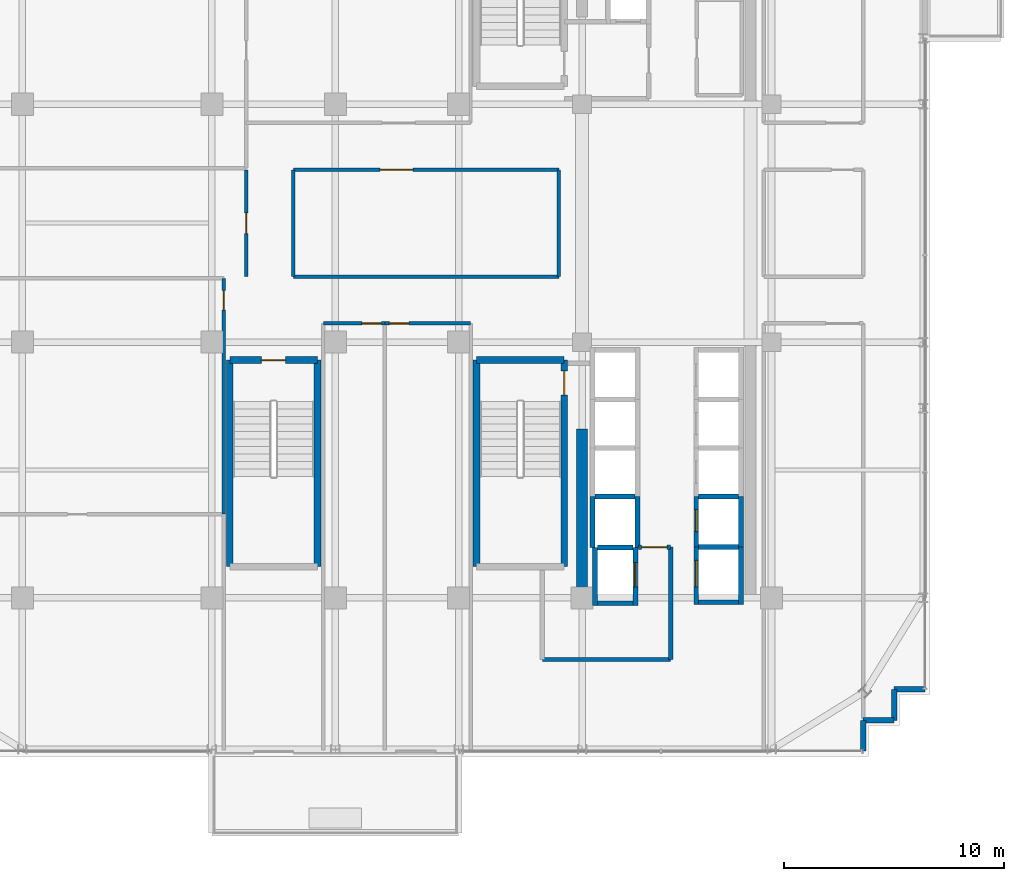
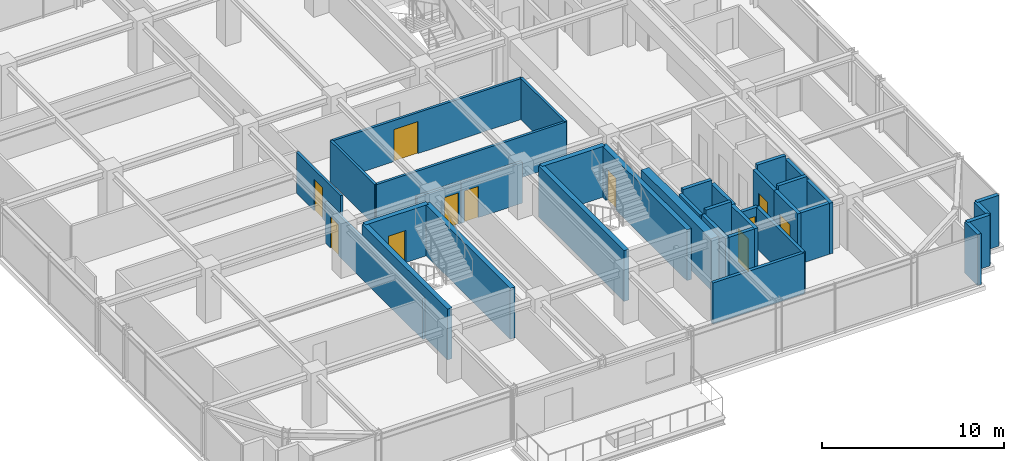
# One storey, part 30 of 36: 36 walls, 11 doors, 11 openings.
"""IFC4 building model written with IfcOpenShell, lengths in metres."""

from ifc_helpers import new_model, si_unit, direction, frame, frame_2d, origin, place, context, subcontext, project, spatial, rectangle, extrude, source, transform, mapped, material, layer, layer_set, type_object, element, fill, save


model = new_model("IFC4")

# Units and contexts
model_context = context("Model", 3, precision=1e-05, world=origin(), true_north=direction((0.0, 1.0)))
body_context = subcontext(model_context, "Body", "Model", "MODEL_VIEW")
ifc_project = project(units=[si_unit("LENGTHUNIT", "METRE"), si_unit("AREAUNIT", "SQUARE_METRE"), si_unit("VOLUMEUNIT", "CUBIC_METRE"), si_unit("PLANEANGLEUNIT", "RADIAN"), si_unit("MASSUNIT", "GRAM", prefix="KILO")], contexts=[model_context])

# Site, building, storey
site_placement = place(None, origin())
site = spatial("IfcSite", under=ifc_project, at=site_placement, CompositionType="ELEMENT")
building_placement = place(site_placement, origin())
building = spatial("IfcBuilding", under=site, at=building_placement, Name="Nahalor Promenade Grand Hotel", CompositionType="ELEMENT")
storey_placement = place(building_placement, frame((0.0, 0.0, 253.0)))
storey = spatial("IfcBuildingStorey", under=building, at=storey_placement, Name="L65", CompositionType="ELEMENT", Elevation=253.0)

# Walls
ifc_material_1 = material(Name="Concrete B-60 (C50/60)", Category="concrete")
ifc_layer_1 = layer(ifc_material_1, 0.5)
ifc_layer_set_1 = layer_set([ifc_layer_1], Name="Concrete B-60 (C50/60)")
wall_type_1 = type_object("IfcWallType", Name="Wall-CoreShear-500", PredefinedType="SHEAR", material=ifc_layer_set_1)
shared_shape_1 = source(origin(), body_context, "Body", "SweptSolid", [
    extrude(rectangle(XDim=7.64990234375, YDim=0.5, at=frame_2d((3.824951171875, 0.0))), origin(), (0.0, 0.0, 1.0), 3.409912109375),
])
wall_1_placement = place(storey_placement, frame((8.39990234375, -17.0, 0.0), z_axis=(0.0, 0.0, 1.0), x_axis=(0.0, 1.0, 0.0)))
element("IfcWall", 1, at=wall_1_placement, inside=storey, type_object=wall_type_1, Name="CWALL-L65-SW", PredefinedType="SHEAR", context=body_context, shape_type="MappedRepresentation", body=[
    mapped(shared_shape_1, transform((0.0, 0.0, 0.0), scale=1.0)),
])
ifc_material_2 = material(Name="Concrete B-50 (C40/50)", Category="concrete")
ifc_layer_2 = layer(ifc_material_2, 0.300048828125)
ifc_layer_set_2 = layer_set([ifc_layer_2], Name="Concrete B-50 (C40/50)")
wall_type_2 = type_object("IfcWallType", Name="Wall-ShaftShear-300", PredefinedType="SHEAR", material=ifc_layer_set_2)
shared_shape_2 = source(origin(), body_context, "Body", "SweptSolid", [
    extrude(rectangle(XDim=3.97998046875, YDim=0.300048828125, at=frame_2d((1.989990234375, 0.0))), origin(), (0.0, 0.0, 1.0), 3.409912109375),
])
wall_2_placement = place(storey_placement, frame((3.610107421875, -6.2099609375, 0.0), z_axis=(0.0, 0.0, 1.0), x_axis=(1.0, 0.0, 0.0)))
element("IfcWall", 2, at=wall_2_placement, inside=storey, type_object=wall_type_2, Name="L65 Exit Stair ST2 Shaft Wall N", PredefinedType="SHEAR", context=body_context, shape_type="MappedRepresentation", body=[
    mapped(shared_shape_2, transform((0.0, 0.0, 0.0), scale=1.0)),
])

# Wall, opening, door
wall_3_placement = place(storey_placement, frame((-7.590087890625, -6.2099609375, 0.0), z_axis=(0.0, 0.0, 1.0), x_axis=(1.0, 0.0, 0.0)))
wall_3 = element("IfcWall", 3, at=wall_3_placement, inside=storey, type_object=wall_type_2, Name="L65 Exit Stair ST3 Shaft Wall N", PredefinedType="SHEAR", context=body_context, shape_type="MappedRepresentation", body=[
    mapped(shared_shape_2, transform((0.0, 0.0, 0.0), scale=1.0)),
])
opening_1_placement = place(wall_3_placement, frame((1.43994140625, 0.0, 0.0)))
opening_1 = element("IfcOpeningElement", 4, at=opening_1_placement, cuts=wall_3, Name="Opening D-ST1", PredefinedType="OPENING", context=body_context, shape_type="SweptSolid", body=[
    extrude(rectangle(XDim=1.10009765625, YDim=2.14990234375, at=frame_2d((0.550048828125, 1.074951171875))), frame((0.0, 0.159912109375, 0.0), z_axis=(0.0, -1.0, 0.0), x_axis=(1.0, 0.0, 0.0)), (0.0, 0.0, 1.0), 0.320068359375),
])
ifc_material_3 = material(Name="Steel S355JR", Category="steel")
door_type_1 = type_object("IfcDoorType", Name="Door-StairFire-1100", OperationType="NOTDEFINED", PredefinedType="DOOR", material=ifc_material_3)
shared_shape_3 = source(origin(), body_context, "Body", "SweptSolid", [
    extrude(rectangle(XDim=1.10009765625, YDim=2.14990234375, at=frame_2d((0.550048828125, 1.074951171875))), frame((0.0, 0.02490234375, 0.0), z_axis=(0.0, -1.0, 0.0), x_axis=(1.0, 0.0, 0.0)), (0.0, 0.0, 1.0), 0.050048828125),
])
door_1_placement = place(opening_1_placement, frame((1.10009765625, 0.0, 0.0), z_axis=(0.0, 0.0, 1.0), x_axis=(-1.0, 0.0, 0.0)))
door_1 = element("IfcDoor", 5, at=door_1_placement, inside=storey, type_object=door_type_1, Name="DR-STAIR-ST3-L65", OperationType="SINGLE_SWING_RIGHT", OverallHeight=2.14990234375, OverallWidth=1.10009765625, PredefinedType="DOOR", context=body_context, shape_type="MappedRepresentation", body=[
    mapped(shared_shape_3, transform((0.0, 0.0, 0.0), scale=1.0)),
])
fill(opening_1, door_1)

# Wall
shared_shape_4 = source(origin(), body_context, "Body", "SweptSolid", [
    extrude(rectangle(XDim=9.380126953125, YDim=0.300048828125, at=frame_2d((4.68994140625, 0.0))), origin(), (0.0, 0.0, 1.0), 3.409912109375),
])
wall_4_placement = place(storey_placement, frame((3.610107421875, -15.590087890625, 0.0), z_axis=(0.0, 0.0, 1.0), x_axis=(0.0, 1.0, 0.0)))
element("IfcWall", 6, at=wall_4_placement, inside=storey, type_object=wall_type_2, Name="L65 Exit Stair ST2 Shaft Wall W", PredefinedType="SHEAR", context=body_context, shape_type="MappedRepresentation", body=[
    mapped(shared_shape_4, transform((0.0, 0.0, 0.0), scale=1.0)),
])

# Wall, opening, door
wall_5_placement = place(storey_placement, frame((7.590087890625, -15.590087890625, 0.0), z_axis=(0.0, 0.0, 1.0), x_axis=(0.0, 1.0, 0.0)))
wall_5 = element("IfcWall", 7, at=wall_5_placement, inside=storey, type_object=wall_type_2, Name="L65 Exit Stair ST2 Shaft Wall E", PredefinedType="SHEAR", context=body_context, shape_type="MappedRepresentation", body=[
    mapped(shared_shape_4, transform((0.0, 0.0, 0.0), scale=1.0)),
])
opening_2_placement = place(wall_5_placement, frame((7.7900390625, 0.0, 0.0)))
opening_2 = element("IfcOpeningElement", 8, at=opening_2_placement, cuts=wall_5, Name="Opening D-ST1", PredefinedType="OPENING", context=body_context, shape_type="SweptSolid", body=[
    extrude(rectangle(XDim=1.10009765625, YDim=2.14990234375, at=frame_2d((0.550048828125, 1.074951171875))), frame((0.0, 0.159912109375, 0.0), z_axis=(0.0, -1.0, 0.0), x_axis=(1.0, 0.0, 0.0)), (0.0, 0.0, 1.0), 0.320068359375),
])
door_2_placement = place(opening_2_placement, origin())
door_2 = element("IfcDoor", 9, at=door_2_placement, inside=storey, type_object=door_type_1, Name="DR-STAIR-ST2-L65", OperationType="SINGLE_SWING_RIGHT", OverallHeight=2.14990234375, OverallWidth=1.10009765625, PredefinedType="DOOR", context=body_context, shape_type="MappedRepresentation", body=[
    mapped(shared_shape_3, transform((0.0, 0.0, 0.0), scale=1.0)),
])
fill(opening_2, door_2)

# Walls
for number, where, z_axis, x_axis, name in (
    (10, (-7.590087890625, -15.590087890625, 0.0), (0.0, 0.0, 1.0), (0.0, 1.0, 0.0), "L65 Exit Stair ST3 Shaft Wall W"),
    (11, (-3.610107421875, -15.590087890625, 0.0), (0.0, 0.0, 1.0), (0.0, 1.0, 0.0), "L65 Exit Stair ST3 Shaft Wall E"),
):
    element("IfcWall", number, at=place(storey_placement, frame(where, z_axis=z_axis, x_axis=x_axis)), inside=storey, type_object=wall_type_2, Name=name, PredefinedType="SHEAR", context=body_context, shape_type="MappedRepresentation", body=[
        mapped(shared_shape_4, transform((0.0, 0.0, 0.0), scale=1.0)),
    ])
ifc_layer_3 = layer(ifc_material_2, 0.219970703125)
ifc_layer_set_3 = layer_set([ifc_layer_3], Name="Concrete B-50 (C40/50)")
wall_type_3 = type_object("IfcWallType", Name="Wall-LiftShaft-220", PredefinedType="SHEAR", material=ifc_layer_set_3)
shared_shape_5 = source(origin(), body_context, "Body", "SweptSolid", [
    extrude(rectangle(XDim=1.820068359375, YDim=0.219970703125, at=frame_2d((0.91015625, 0.0))), origin(), (0.0, 0.0, 1.0), 3.409912109375),
])
wall_6_placement = place(storey_placement, frame((13.68994140625, -17.199951171875, 0.0), z_axis=(0.0, 0.0, 1.0), x_axis=(1.0, 0.0, 0.0)))
element("IfcWall", 12, at=wall_6_placement, inside=storey, type_object=wall_type_3, Name="L65 Lift SV2 Hoistway Wall S", PredefinedType="SHEAR", context=body_context, shape_type="MappedRepresentation", body=[
    mapped(shared_shape_5, transform((0.0, 0.0, 0.0), scale=1.0)),
])
shared_shape_6 = source(origin(), body_context, "Body", "SweptSolid", [
    extrude(rectangle(XDim=1.820068359375, YDim=0.219970703125, at=frame_2d((0.91015625, 0.0))), origin(), (0.0, 0.0, 1.0), 3.699951171875),
])
for number, where, z_axis, x_axis, name in (
    (13, (13.68994140625, -12.39990234375, 0.0), (0.0, 0.0, 1.0), (1.0, 0.0, 0.0), "L65 Lift PL8 Hoistway Wall N"),
    (14, (8.989990234375, -12.39990234375, 0.0), (0.0, 0.0, 1.0), (1.0, 0.0, 0.0), "L65 Lift PL12 Hoistway Wall N"),
    (15, (13.68994140625, -14.699951171875, 0.0), (0.0, 0.0, 1.0), (1.0, 0.0, 0.0), "L65 Lift SV2 Hoistway Wall N"),
):
    element("IfcWall", number, at=place(storey_placement, frame(where, z_axis=z_axis, x_axis=x_axis)), inside=storey, type_object=wall_type_3, Name=name, PredefinedType="SHEAR", context=body_context, shape_type="MappedRepresentation", body=[
        mapped(shared_shape_6, transform((0.0, 0.0, 0.0), scale=1.0)),
    ])

# Wall, opening, door
shared_shape_7 = source(origin(), body_context, "Body", "SweptSolid", [
    extrude(rectangle(XDim=2.300048828125, YDim=0.219970703125, at=frame_2d((1.14990234375, 0.0))), origin(), (0.0, 0.0, 1.0), 3.409912109375),
])
wall_7_placement = place(storey_placement, frame((13.580078125, -14.699951171875, 0.0), z_axis=(0.0, 0.0, 1.0), x_axis=(0.0, 1.0, 0.0)))
wall_7 = element("IfcWall", 16, at=wall_7_placement, inside=storey, type_object=wall_type_3, Name="L65 Lift PL8 Hoistway Wall W", PredefinedType="SHEAR", context=body_context, shape_type="MappedRepresentation", body=[
    mapped(shared_shape_7, transform((0.0, 0.0, 0.0), scale=1.0)),
])
opening_3_placement = place(wall_7_placement, frame((0.699951171875, 0.0, 0.0)))
opening_3 = element("IfcOpeningElement", 17, at=opening_3_placement, cuts=wall_7, Name="Opening LD-01", PredefinedType="OPENING", context=body_context, shape_type="SweptSolid", body=[
    extrude(rectangle(XDim=1.0, YDim=2.199951171875, at=frame_2d((0.5, 1.10009765625))), frame((0.0, 0.119873046875, 0.0), z_axis=(0.0, -1.0, 0.0), x_axis=(1.0, 0.0, 0.0)), (0.0, 0.0, 1.0), 0.239990234375),
])
door_type_2 = type_object("IfcDoorType", Name="Door-LiftLanding-1000", OperationType="DOUBLE_DOOR_SLIDING", PredefinedType="DOOR", material=ifc_material_3)
shared_shape_8 = source(origin(), body_context, "Body", "SweptSolid", [
    extrude(rectangle(XDim=1.0, YDim=2.199951171875, at=frame_2d((0.5, 1.10009765625))), frame((0.0, 0.02490234375, 0.0), z_axis=(0.0, -1.0, 0.0), x_axis=(1.0, 0.0, 0.0)), (0.0, 0.0, 1.0), 0.050048828125),
])
door_3_placement = place(opening_3_placement, origin())
door_3 = element("IfcDoor", 18, at=door_3_placement, inside=storey, type_object=door_type_2, Name="DR-LIFT-PL8-L65", OperationType="DOUBLE_DOOR_SLIDING", OverallHeight=2.199951171875, OverallWidth=1.0, PredefinedType="DOOR", context=body_context, shape_type="MappedRepresentation", body=[
    mapped(shared_shape_8, transform((0.0, 0.0, 0.0), scale=1.0)),
])
fill(opening_3, door_3)

# Walls
wall_8_placement = place(storey_placement, frame((15.6201171875, -14.699951171875, 0.0), z_axis=(0.0, 0.0, 1.0), x_axis=(0.0, 1.0, 0.0)))
element("IfcWall", 19, at=wall_8_placement, inside=storey, type_object=wall_type_3, Name="L65 Lift PL8 Hoistway Wall E", PredefinedType="SHEAR", context=body_context, shape_type="MappedRepresentation", body=[
    mapped(shared_shape_7, transform((0.0, 0.0, 0.0), scale=1.0)),
])
shared_shape_9 = source(origin(), body_context, "Body", "SweptSolid", [
    extrude(rectangle(XDim=2.3251953125, YDim=0.219970703125, at=frame_2d((1.16259765625, 0.0))), origin(), (0.0, 0.0, 1.0), 3.409912109375),
])
for number, where, z_axis, x_axis, name in (
    (20, (8.8798828125, -14.72509765625, 0.0), (0.0, 0.0, 1.0), (0.0, 1.0, 0.0), "L65 Lift PL12 Hoistway Wall W"),
    (21, (10.919921875, -14.72509765625, 0.0), (0.0, 0.0, 1.0), (0.0, 1.0, 0.0), "L65 Lift PL12 Hoistway Wall E"),
):
    element("IfcWall", number, at=place(storey_placement, frame(where, z_axis=z_axis, x_axis=x_axis)), inside=storey, type_object=wall_type_3, Name=name, PredefinedType="SHEAR", context=body_context, shape_type="MappedRepresentation", body=[
        mapped(shared_shape_9, transform((0.0, 0.0, 0.0), scale=1.0)),
    ])
shared_shape_10 = source(origin(), body_context, "Body", "SweptSolid", [
    extrude(rectangle(XDim=2.635009765625, YDim=0.219970703125, at=frame_2d((1.3173828125, 0.0))), origin(), (0.0, 0.0, 1.0), 3.409912109375),
])
wall_9_placement = place(storey_placement, frame((8.97998046875, -17.360107421875, 0.0), z_axis=(0.0, 0.0, 1.0), x_axis=(0.0, 1.0, 0.0)))
element("IfcWall", 22, at=wall_9_placement, inside=storey, type_object=wall_type_3, Name="L65 Lift FL2 Hoistway Wall W", PredefinedType="SHEAR", context=body_context, shape_type="MappedRepresentation", body=[
    mapped(shared_shape_10, transform((0.0, 0.0, 0.0), scale=1.0)),
])

# Wall, opening, door
wall_10_placement = place(storey_placement, frame((10.820068359375, -17.360107421875, 0.0), z_axis=(0.0, 0.0, 1.0), x_axis=(0.0, 1.0, 0.0)))
wall_10 = element("IfcWall", 23, at=wall_10_placement, inside=storey, type_object=wall_type_3, Name="L65 Lift FL2 Hoistway Wall E", PredefinedType="SHEAR", context=body_context, shape_type="MappedRepresentation", body=[
    mapped(shared_shape_10, transform((0.0, 0.0, 0.0), scale=1.0)),
])
opening_4_placement = place(wall_10_placement, frame((0.860107421875, 0.0, 0.0)))
opening_4 = element("IfcOpeningElement", 24, at=opening_4_placement, cuts=wall_10, Name="Opening LD-02", PredefinedType="OPENING", context=body_context, shape_type="SweptSolid", body=[
    extrude(rectangle(XDim=1.10009765625, YDim=2.199951171875, at=frame_2d((0.550048828125, 1.10009765625))), frame((0.0, 0.119873046875, 0.0), z_axis=(0.0, -1.0, 0.0), x_axis=(1.0, 0.0, 0.0)), (0.0, 0.0, 1.0), 0.239990234375),
])
door_type_3 = type_object("IfcDoorType", Name="Door-LiftFF-1100", OperationType="DOUBLE_DOOR_SLIDING", PredefinedType="DOOR", material=ifc_material_3)
shared_shape_11 = source(origin(), body_context, "Body", "SweptSolid", [
    extrude(rectangle(XDim=1.10009765625, YDim=2.199951171875, at=frame_2d((0.550048828125, 1.10009765625))), frame((0.0, 0.02490234375, 0.0), z_axis=(0.0, -1.0, 0.0), x_axis=(1.0, 0.0, 0.0)), (0.0, 0.0, 1.0), 0.050048828125),
])
door_4_placement = place(opening_4_placement, frame((1.10009765625, 0.0, 0.0), z_axis=(0.0, 0.0, 1.0), x_axis=(-1.0, 0.0, 0.0)))
door_4 = element("IfcDoor", 25, at=door_4_placement, inside=storey, type_object=door_type_3, Name="DR-LIFT-FL2-L65", OperationType="DOUBLE_DOOR_SLIDING", OverallHeight=2.199951171875, OverallWidth=1.10009765625, PredefinedType="DOOR", context=body_context, shape_type="MappedRepresentation", body=[
    mapped(shared_shape_11, transform((0.0, 0.0, 0.0), scale=1.0)),
])
fill(opening_4, door_4)

# Walls
shared_shape_12 = source(origin(), body_context, "Body", "SweptSolid", [
    extrude(rectangle(XDim=1.619873046875, YDim=0.219970703125, at=frame_2d((0.81005859375, 0.0))), origin(), (0.0, 0.0, 1.0), 3.409912109375),
])
wall_11_placement = place(storey_placement, frame((9.090087890625, -17.25, 0.0), z_axis=(0.0, 0.0, 1.0), x_axis=(1.0, 0.0, 0.0)))
element("IfcWall", 26, at=wall_11_placement, inside=storey, type_object=wall_type_3, Name="L65 Lift FL2 Hoistway Wall S", PredefinedType="SHEAR", context=body_context, shape_type="MappedRepresentation", body=[
    mapped(shared_shape_12, transform((0.0, 0.0, 0.0), scale=1.0)),
])
shared_shape_13 = source(origin(), body_context, "Body", "SweptSolid", [
    extrude(rectangle(XDim=1.619873046875, YDim=0.219970703125, at=frame_2d((0.81005859375, 0.0))), origin(), (0.0, 0.0, 1.0), 3.699951171875),
])
wall_12_placement = place(storey_placement, frame((9.090087890625, -14.72509765625, 0.0), z_axis=(0.0, 0.0, 1.0), x_axis=(1.0, 0.0, 0.0)))
element("IfcWall", 27, at=wall_12_placement, inside=storey, type_object=wall_type_3, Name="L65 Lift FL2 Hoistway Wall N", PredefinedType="SHEAR", context=body_context, shape_type="MappedRepresentation", body=[
    mapped(shared_shape_13, transform((0.0, 0.0, 0.0), scale=1.0)),
])

# Wall, opening, door
shared_shape_14 = source(origin(), body_context, "Body", "SweptSolid", [
    extrude(rectangle(XDim=2.610107421875, YDim=0.219970703125, at=frame_2d((1.30517578125, 0.0))), origin(), (0.0, 0.0, 1.0), 3.409912109375),
])
wall_13_placement = place(storey_placement, frame((13.580078125, -17.31005859375, 0.0), z_axis=(0.0, 0.0, 1.0), x_axis=(0.0, 1.0, 0.0)))
wall_13 = element("IfcWall", 28, at=wall_13_placement, inside=storey, type_object=wall_type_3, Name="L65 Lift SV2 Hoistway Wall W", PredefinedType="SHEAR", context=body_context, shape_type="MappedRepresentation", body=[
    mapped(shared_shape_14, transform((0.0, 0.0, 0.0), scale=1.0)),
])
opening_5_placement = place(wall_13_placement, frame((0.81005859375, 0.0, 0.0)))
opening_5 = element("IfcOpeningElement", 29, at=opening_5_placement, cuts=wall_13, Name="Opening LD-03", PredefinedType="OPENING", context=body_context, shape_type="SweptSolid", body=[
    extrude(rectangle(XDim=1.199951171875, YDim=2.199951171875, at=frame_2d((0.60009765625, 1.10009765625))), frame((0.0, 0.119873046875, 0.0), z_axis=(0.0, -1.0, 0.0), x_axis=(1.0, 0.0, 0.0)), (0.0, 0.0, 1.0), 0.239990234375),
])
door_type_4 = type_object("IfcDoorType", Name="Door-LiftService-1200", OperationType="DOUBLE_DOOR_SLIDING", PredefinedType="DOOR", material=ifc_material_3)
shared_shape_15 = source(origin(), body_context, "Body", "SweptSolid", [
    extrude(rectangle(XDim=1.199951171875, YDim=2.199951171875, at=frame_2d((0.60009765625, 1.10009765625))), frame((0.0, 0.02490234375, 0.0), z_axis=(0.0, -1.0, 0.0), x_axis=(1.0, 0.0, 0.0)), (0.0, 0.0, 1.0), 0.050048828125),
])
door_5_placement = place(opening_5_placement, origin())
door_5 = element("IfcDoor", 30, at=door_5_placement, inside=storey, type_object=door_type_4, Name="DR-LIFT-SV2-L65", OperationType="DOUBLE_DOOR_SLIDING", OverallHeight=2.199951171875, OverallWidth=1.199951171875, PredefinedType="DOOR", context=body_context, shape_type="MappedRepresentation", body=[
    mapped(shared_shape_15, transform((0.0, 0.0, 0.0), scale=1.0)),
])
fill(opening_5, door_5)

# Walls
wall_14_placement = place(storey_placement, frame((15.6201171875, -17.31005859375, 0.0), z_axis=(0.0, 0.0, 1.0), x_axis=(0.0, 1.0, 0.0)))
element("IfcWall", 31, at=wall_14_placement, inside=storey, type_object=wall_type_3, Name="L65 Lift SV2 Hoistway Wall E", PredefinedType="SHEAR", context=body_context, shape_type="MappedRepresentation", body=[
    mapped(shared_shape_14, transform((0.0, 0.0, 0.0), scale=1.0)),
])
ifc_material_4 = material(Name="Concrete B-40 (C32/40)", Category="concrete")
ifc_layer_4 = layer(ifc_material_4, 0.25)
ifc_layer_set_4 = layer_set([ifc_layer_4], Name="Concrete B-40 (C32/40)")
wall_type_4 = type_object("IfcWallType", Name="Wall-BronzePier-250", PredefinedType="STANDARD", material=ifc_layer_set_4)
shared_shape_16 = source(origin(), body_context, "Body", "SweptSolid", [
    extrude(rectangle(XDim=1.39990234375, YDim=0.25, at=frame_2d((0.699951171875, 0.0))), origin(), (0.0, 0.0, 1.0), 3.409912109375),
])
for number, where, z_axis, x_axis, name in (
    (32, (21.159912109375, -23.9599609375, 0.0), (0.0, 0.0, 1.0), (0.0, 1.0, 0.0), "W-L65-SR-01"),
    (33, (22.56005859375, -21.159912109375, 0.0), (0.0, 0.0, 1.0), (1.0, 0.0, 0.0), "W-L65-SR-04"),
):
    element("IfcWall", number, at=place(storey_placement, frame(where, z_axis=z_axis, x_axis=x_axis)), inside=storey, type_object=wall_type_4, Name=name, PredefinedType="STANDARD", context=body_context, shape_type="MappedRepresentation", body=[
        mapped(shared_shape_16, transform((0.0, 0.0, 0.0), scale=1.0)),
    ])
shared_shape_17 = source(origin(), body_context, "Body", "SweptSolid", [
    extrude(rectangle(XDim=1.400146484375, YDim=0.25, at=frame_2d((0.7001953125, 0.0))), origin(), (0.0, 0.0, 1.0), 3.409912109375),
])
for number, where, z_axis, x_axis, name in (
    (34, (21.159912109375, -22.56005859375, 0.0), (0.0, 0.0, 1.0), (1.0, 0.0, 0.0), "W-L65-SR-02"),
    (35, (22.56005859375, -22.56005859375, 0.0), (0.0, 0.0, 1.0), (0.0, 1.0, 0.0), "W-L65-SR-03"),
):
    element("IfcWall", number, at=place(storey_placement, frame(where, z_axis=z_axis, x_axis=x_axis)), inside=storey, type_object=wall_type_4, Name=name, PredefinedType="STANDARD", context=body_context, shape_type="MappedRepresentation", body=[
        mapped(shared_shape_17, transform((0.0, 0.0, 0.0), scale=1.0)),
    ])
ifc_layer_5 = layer(ifc_material_4, 0.199951171875)
ifc_layer_set_5 = layer_set([ifc_layer_5], Name="Concrete B-40 (C32/40)")
wall_type_5 = type_object("IfcWallType", Name="Wall-PartFire-200", PredefinedType="PARTITIONING", material=ifc_layer_set_5)
shared_shape_18 = source(origin(), body_context, "Body", "SweptSolid", [
    extrude(rectangle(XDim=5.81982421875, YDim=0.199951171875, at=frame_2d((2.909912109375, 0.0))), origin(), (0.0, 0.0, 1.0), 2.75),
])
wall_15_placement = place(storey_placement, frame((6.60009765625, -19.800048828125, 0.0), z_axis=(0.0, 0.0, 1.0), x_axis=(1.0, 0.0, 0.0)))
element("IfcWall", 36, at=wall_15_placement, inside=storey, type_object=wall_type_5, Name="W-L65-FF2-S1", PredefinedType="PARTITIONING", context=body_context, shape_type="MappedRepresentation", body=[
    mapped(shared_shape_18, transform((0.0, 0.0, 0.0), scale=1.0)),
])
shared_shape_19 = source(origin(), body_context, "Body", "SweptSolid", [
    extrude(rectangle(XDim=5.10009765625, YDim=0.199951171875, at=frame_2d((2.550048828125, 0.0))), origin(), (0.0, 0.0, 1.0), 2.75),
])
wall_16_placement = place(storey_placement, frame((12.419921875, -19.800048828125, 0.0), z_axis=(0.0, 0.0, 1.0), x_axis=(0.0, 1.0, 0.0)))
element("IfcWall", 37, at=wall_16_placement, inside=storey, type_object=wall_type_5, Name="W-L65-FF2-E", PredefinedType="PARTITIONING", context=body_context, shape_type="MappedRepresentation", body=[
    mapped(shared_shape_19, transform((0.0, 0.0, 0.0), scale=1.0)),
])

# Wall, opening, door
shared_shape_20 = source(origin(), body_context, "Body", "SweptSolid", [
    extrude(rectangle(XDim=1.4599609375, YDim=0.199951171875, at=frame_2d((0.72998046875, 0.0))), origin(), (0.0, 0.0, 1.0), 2.75),
])
wall_17_placement = place(storey_placement, frame((10.9599609375, -14.699951171875, 0.0), z_axis=(0.0, 0.0, 1.0), x_axis=(1.0, 0.0, 0.0)))
wall_17 = element("IfcWall", 38, at=wall_17_placement, inside=storey, type_object=wall_type_5, Name="W-L65-FF2-N1", PredefinedType="PARTITIONING", context=body_context, shape_type="MappedRepresentation", body=[
    mapped(shared_shape_20, transform((0.0, 0.0, 0.0), scale=1.0)),
])
opening_6_placement = place(wall_17_placement, frame((0.14501953125, 0.0, 0.0)))
opening_6 = element("IfcOpeningElement", 39, at=opening_6_placement, cuts=wall_17, Name="Opening D-FF1", PredefinedType="OPENING", context=body_context, shape_type="SweptSolid", body=[
    extrude(rectangle(XDim=1.14990234375, YDim=2.14990234375, at=frame_2d((0.574951171875, 1.074951171875))), frame((0.0, 0.10986328125, 0.0), z_axis=(0.0, -1.0, 0.0), x_axis=(1.0, 0.0, 0.0)), (0.0, 0.0, 1.0), 0.219970703125),
])
door_type_5 = type_object("IfcDoorType", Name="Door-FFLobby-1150", OperationType="NOTDEFINED", PredefinedType="DOOR", material=ifc_material_3)
shared_shape_21 = source(origin(), body_context, "Body", "SweptSolid", [
    extrude(rectangle(XDim=1.14990234375, YDim=2.14990234375, at=frame_2d((0.574951171875, 1.074951171875))), frame((0.0, 0.02490234375, 0.0), z_axis=(0.0, -1.0, 0.0), x_axis=(1.0, 0.0, 0.0)), (0.0, 0.0, 1.0), 0.050048828125),
])
door_6_placement = place(opening_6_placement, origin())
door_6 = element("IfcDoor", 40, at=door_6_placement, inside=storey, type_object=door_type_5, Name="DR-L65-FFL2", OperationType="SINGLE_SWING_RIGHT", OverallHeight=2.14990234375, OverallWidth=1.14990234375, PredefinedType="DOOR", context=body_context, shape_type="MappedRepresentation", body=[
    mapped(shared_shape_21, transform((0.0, 0.0, 0.0), scale=1.0)),
])
fill(opening_6, door_6)

ifc_material_5 = material(Name="Acoustic Mineral Gypsum", Category="gypsum")
ifc_layer_6 = layer(ifc_material_5, 0.159912109375)
ifc_layer_set_6 = layer_set([ifc_layer_6], Name="Acoustic Mineral Gypsum")
wall_type_6 = type_object("IfcWallType", Name="Wall-PartCorridor-160", PredefinedType="PARTITIONING", material=ifc_layer_set_6)
shared_shape_22 = source(origin(), body_context, "Body", "SweptSolid", [
    extrude(rectangle(XDim=4.83984375, YDim=0.159912109375, at=frame_2d((2.419921875, 0.0))), origin(), (0.0, 0.0, 1.0), 2.75),
])
wall_18_placement = place(storey_placement, frame((-6.85009765625, -2.419921875, 0.0), z_axis=(0.0, 0.0, 1.0), x_axis=(0.0, 1.0, 0.0)))
wall_18 = element("IfcWall", 41, at=wall_18_placement, inside=storey, type_object=wall_type_6, Name="W-L65-WEST-E", PredefinedType="PARTITIONING", context=body_context, shape_type="MappedRepresentation", body=[
    mapped(shared_shape_22, transform((0.0, 0.0, 0.0), scale=1.0)),
])
opening_7_placement = place(wall_18_placement, frame((1.945068359375, 0.0, 0.0)))
opening_7 = element("IfcOpeningElement", 42, at=opening_7_placement, cuts=wall_18, Name="Opening D-01", PredefinedType="OPENING", context=body_context, shape_type="SweptSolid", body=[
    extrude(rectangle(XDim=0.949951171875, YDim=2.10009765625, at=frame_2d((0.47509765625, 1.050048828125))), frame((0.0, 0.08984375, 0.0), z_axis=(0.0, -1.0, 0.0), x_axis=(1.0, 0.0, 0.0)), (0.0, 0.0, 1.0), 0.179931640625),
])
ifc_material_6 = material(Name="Fire-Rated Timber Composite", Category="wood")
door_type_6 = type_object("IfcDoorType", Name="Door-GuestEntry-950", OperationType="NOTDEFINED", PredefinedType="DOOR", material=ifc_material_6)
shared_shape_23 = source(origin(), body_context, "Body", "SweptSolid", [
    extrude(rectangle(XDim=0.949951171875, YDim=2.10009765625, at=frame_2d((0.47509765625, 1.050048828125))), frame((0.0, 0.02490234375, 0.0), z_axis=(0.0, -1.0, 0.0), x_axis=(1.0, 0.0, 0.0)), (0.0, 0.0, 1.0), 0.050048828125),
])
door_7_placement = place(opening_7_placement, origin())
door_7 = element("IfcDoor", 43, at=door_7_placement, inside=storey, type_object=door_type_6, Name="DR-L65-W1-ENT", OperationType="SINGLE_SWING_LEFT", OverallHeight=2.10009765625, OverallWidth=0.949951171875, PredefinedType="DOOR", context=body_context, shape_type="MappedRepresentation", body=[
    mapped(shared_shape_23, transform((0.0, 0.0, 0.0), scale=1.0)),
])
fill(opening_7, door_7)

# Walls
for number, where, z_axis, x_axis, name in (
    (44, (-4.699951171875, -2.419921875, 0.0), (0.0, 0.0, 1.0), (0.0, 1.0, 0.0), "W-L65-CM1-W"),
    (45, (7.35009765625, -2.419921875, 0.0), (0.0, 0.0, 1.0), (0.0, 1.0, 0.0), "W-L65-CM1-E"),
):
    element("IfcWall", number, at=place(storey_placement, frame(where, z_axis=z_axis, x_axis=x_axis)), inside=storey, type_object=wall_type_6, Name=name, PredefinedType="PARTITIONING", context=body_context, shape_type="MappedRepresentation", body=[
        mapped(shared_shape_22, transform((0.0, 0.0, 0.0), scale=1.0)),
    ])

# Wall, opening, door
shared_shape_24 = source(origin(), body_context, "Body", "SweptSolid", [
    extrude(rectangle(XDim=2.7900390625, YDim=0.159912109375, at=frame_2d((1.39501953125, 0.0))), origin(), (0.0, 0.0, 1.0), 2.75),
])
wall_19_placement = place(storey_placement, frame((-3.340087890625, -4.550048828125, 0.0), z_axis=(0.0, 0.0, 1.0), x_axis=(1.0, 0.0, 0.0)))
wall_19 = element("IfcWall", 46, at=wall_19_placement, inside=storey, type_object=wall_type_6, Name="W-L65-SCB1-N", PredefinedType="PARTITIONING", context=body_context, shape_type="MappedRepresentation", body=[
    mapped(shared_shape_24, transform((0.0, 0.0, 0.0), scale=1.0)),
])
opening_8_placement = place(wall_19_placement, frame((1.75, 0.0, 0.0)))
opening_8 = element("IfcOpeningElement", 47, at=opening_8_placement, cuts=wall_19, Name="Opening D-03", PredefinedType="OPENING", context=body_context, shape_type="SweptSolid", body=[
    extrude(rectangle(XDim=0.8798828125, YDim=2.10009765625, at=frame_2d((0.43994140625, 1.050048828125))), frame((0.0, 0.08984375, 0.0), z_axis=(0.0, -1.0, 0.0), x_axis=(1.0, 0.0, 0.0)), (0.0, 0.0, 1.0), 0.179931640625),
])
door_type_7 = type_object("IfcDoorType", Name="Door-BathSwing-880", OperationType="NOTDEFINED", PredefinedType="DOOR", material=ifc_material_6)
shared_shape_25 = source(origin(), body_context, "Body", "SweptSolid", [
    extrude(rectangle(XDim=0.8798828125, YDim=2.10009765625, at=frame_2d((0.43994140625, 1.050048828125))), frame((0.0, 0.02490234375, 0.0), z_axis=(0.0, -1.0, 0.0), x_axis=(1.0, 0.0, 0.0)), (0.0, 0.0, 1.0), 0.050048828125),
])
door_8_placement = place(opening_8_placement, frame((0.8798828125, 0.0, 0.0), z_axis=(0.0, 0.0, 1.0), x_axis=(-1.0, 0.0, 0.0)))
door_8 = element("IfcDoor", 48, at=door_8_placement, inside=storey, type_object=door_type_7, Name="DR-L65-SCB1", OperationType="SINGLE_SWING_RIGHT", OverallHeight=2.10009765625, OverallWidth=0.8798828125, PredefinedType="DOOR", context=body_context, shape_type="MappedRepresentation", body=[
    mapped(shared_shape_25, transform((0.0, 0.0, 0.0), scale=1.0)),
])
fill(opening_8, door_8)

shared_shape_26 = source(origin(), body_context, "Body", "SweptSolid", [
    extrude(rectangle(XDim=3.89013671875, YDim=0.159912109375, at=frame_2d((1.945068359375, 0.0))), origin(), (0.0, 0.0, 1.0), 2.75),
])
wall_20_placement = place(storey_placement, frame((-0.550048828125, -4.550048828125, 0.0), z_axis=(0.0, 0.0, 1.0), x_axis=(1.0, 0.0, 0.0)))
wall_20 = element("IfcWall", 49, at=wall_20_placement, inside=storey, type_object=wall_type_6, Name="W-L65-SCB2-N", PredefinedType="PARTITIONING", context=body_context, shape_type="MappedRepresentation", body=[
    mapped(shared_shape_26, transform((0.0, 0.0, 0.0), scale=1.0)),
])
opening_9_placement = place(wall_20_placement, frame((0.2099609375, 0.0, 0.0)))
opening_9 = element("IfcOpeningElement", 50, at=opening_9_placement, cuts=wall_20, Name="Opening D-03", PredefinedType="OPENING", context=body_context, shape_type="SweptSolid", body=[
    extrude(rectangle(XDim=0.8798828125, YDim=2.10009765625, at=frame_2d((0.43994140625, 1.050048828125))), frame((0.0, 0.08984375, 0.0), z_axis=(0.0, -1.0, 0.0), x_axis=(1.0, 0.0, 0.0)), (0.0, 0.0, 1.0), 0.179931640625),
])
door_9_placement = place(opening_9_placement, frame((0.8798828125, 0.0, 0.0), z_axis=(0.0, 0.0, 1.0), x_axis=(-1.0, 0.0, 0.0)))
door_9 = element("IfcDoor", 51, at=door_9_placement, inside=storey, type_object=door_type_7, Name="DR-L65-SCB2", OperationType="SINGLE_SWING_LEFT", OverallHeight=2.10009765625, OverallWidth=0.8798828125, PredefinedType="DOOR", context=body_context, shape_type="MappedRepresentation", body=[
    mapped(shared_shape_25, transform((0.0, 0.0, 0.0), scale=1.0)),
])
fill(opening_9, door_9)

shared_shape_27 = source(origin(), body_context, "Body", "SweptSolid", [
    extrude(rectangle(XDim=10.699951171875, YDim=0.159912109375, at=frame_2d((5.35009765625, 0.0))), origin(), (0.0, 0.0, 1.0), 2.75),
])
wall_21_placement = place(storey_placement, frame((-7.860107421875, -13.199951171875, 0.0), z_axis=(0.0, 0.0, 1.0), x_axis=(0.0, 1.0, 0.0)))
wall_21 = element("IfcWall", 52, at=wall_21_placement, inside=storey, type_object=wall_type_6, Name="W-L65-SW0B-E", PredefinedType="PARTITIONING", context=body_context, shape_type="MappedRepresentation", body=[
    mapped(shared_shape_27, transform((0.0, 0.0, 0.0), scale=1.0)),
])
opening_10_placement = place(wall_21_placement, frame((9.260009765625, 0.0, 0.0)))
opening_10 = element("IfcOpeningElement", 53, at=opening_10_placement, cuts=wall_21, Name="Opening D-03", PredefinedType="OPENING", context=body_context, shape_type="SweptSolid", body=[
    extrude(rectangle(XDim=0.8798828125, YDim=2.10009765625, at=frame_2d((0.43994140625, 1.050048828125))), frame((0.0, 0.08984375, 0.0), z_axis=(0.0, -1.0, 0.0), x_axis=(1.0, 0.0, 0.0)), (0.0, 0.0, 1.0), 0.179931640625),
])
door_10_placement = place(opening_10_placement, origin())
door_10 = element("IfcDoor", 54, at=door_10_placement, inside=storey, type_object=door_type_7, Name="DR-L65-SW0B", OperationType="SINGLE_SWING_LEFT", OverallHeight=2.10009765625, OverallWidth=0.8798828125, PredefinedType="DOOR", context=body_context, shape_type="MappedRepresentation", body=[
    mapped(shared_shape_25, transform((0.0, 0.0, 0.0), scale=1.0)),
])
fill(opening_10, door_10)

# Wall
shared_shape_28 = source(origin(), body_context, "Body", "SweptSolid", [
    extrude(rectangle(XDim=12.050048828125, YDim=0.159912109375, at=frame_2d((6.02490234375, 0.0))), origin(), (0.0, 0.0, 1.0), 2.75),
])
wall_22_placement = place(storey_placement, frame((-4.699951171875, -2.419921875, 0.0), z_axis=(0.0, 0.0, 1.0), x_axis=(1.0, 0.0, 0.0)))
element("IfcWall", 55, at=wall_22_placement, inside=storey, type_object=wall_type_6, Name="W-L65-CM1-S", PredefinedType="PARTITIONING", context=body_context, shape_type="MappedRepresentation", body=[
    mapped(shared_shape_28, transform((0.0, 0.0, 0.0), scale=1.0)),
])

# Wall, opening, door
wall_23_placement = place(storey_placement, frame((-4.699951171875, 2.419921875, 0.0), z_axis=(0.0, 0.0, 1.0), x_axis=(1.0, 0.0, 0.0)))
wall_23 = element("IfcWall", 56, at=wall_23_placement, inside=storey, type_object=wall_type_6, Name="W-L65-CM1-N", PredefinedType="PARTITIONING", context=body_context, shape_type="MappedRepresentation", body=[
    mapped(shared_shape_28, transform((0.0, 0.0, 0.0), scale=1.0)),
])
opening_11_placement = place(wall_23_placement, frame((3.93310546875, 0.0, 0.0)))
opening_11 = element("IfcOpeningElement", 57, at=opening_11_placement, cuts=wall_23, Name="Opening D-02", PredefinedType="OPENING", context=body_context, shape_type="SweptSolid", body=[
    extrude(rectangle(XDim=1.5, YDim=2.14990234375, at=frame_2d((0.75, 1.074951171875))), frame((0.0, 0.08984375, 0.0), z_axis=(0.0, -1.0, 0.0), x_axis=(1.0, 0.0, 0.0)), (0.0, 0.0, 1.0), 0.179931640625),
])
door_type_8 = type_object("IfcDoorType", Name="Door-SuiteDouble-1500", OperationType="DOUBLE_DOOR_SINGLE_SWING", PredefinedType="DOOR", material=ifc_material_6)
shared_shape_29 = source(origin(), body_context, "Body", "SweptSolid", [
    extrude(rectangle(XDim=1.5, YDim=2.14990234375, at=frame_2d((0.75, 1.074951171875))), frame((0.0, 0.02490234375, 0.0), z_axis=(0.0, -1.0, 0.0), x_axis=(1.0, 0.0, 0.0)), (0.0, 0.0, 1.0), 0.050048828125),
])
door_11_placement = place(opening_11_placement, frame((1.5, 0.0, 0.0), z_axis=(0.0, 0.0, 1.0), x_axis=(-1.0, 0.0, 0.0)))
door_11 = element("IfcDoor", 58, at=door_11_placement, inside=storey, type_object=door_type_8, Name="DR-L65-CM1", OperationType="DOUBLE_DOOR_SINGLE_SWING", OverallHeight=2.14990234375, OverallWidth=1.5, PredefinedType="DOOR", context=body_context, shape_type="MappedRepresentation", body=[
    mapped(shared_shape_29, transform((0.0, 0.0, 0.0), scale=1.0)),
])
fill(opening_11, door_11)

save(model, "model.ifc")
